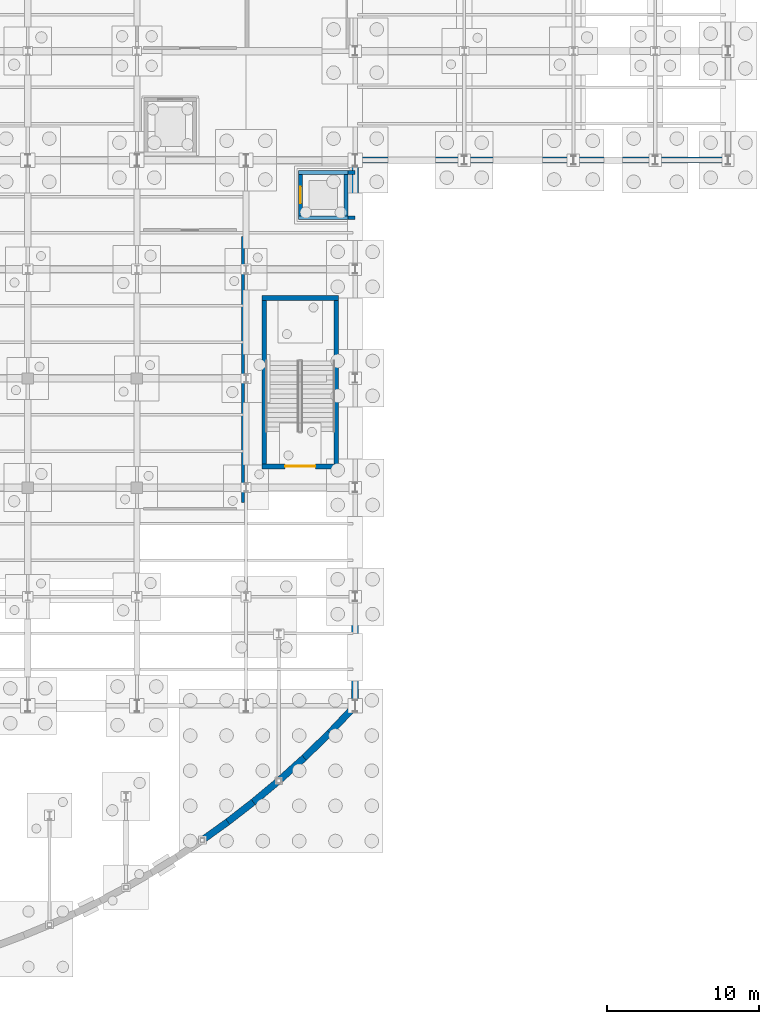
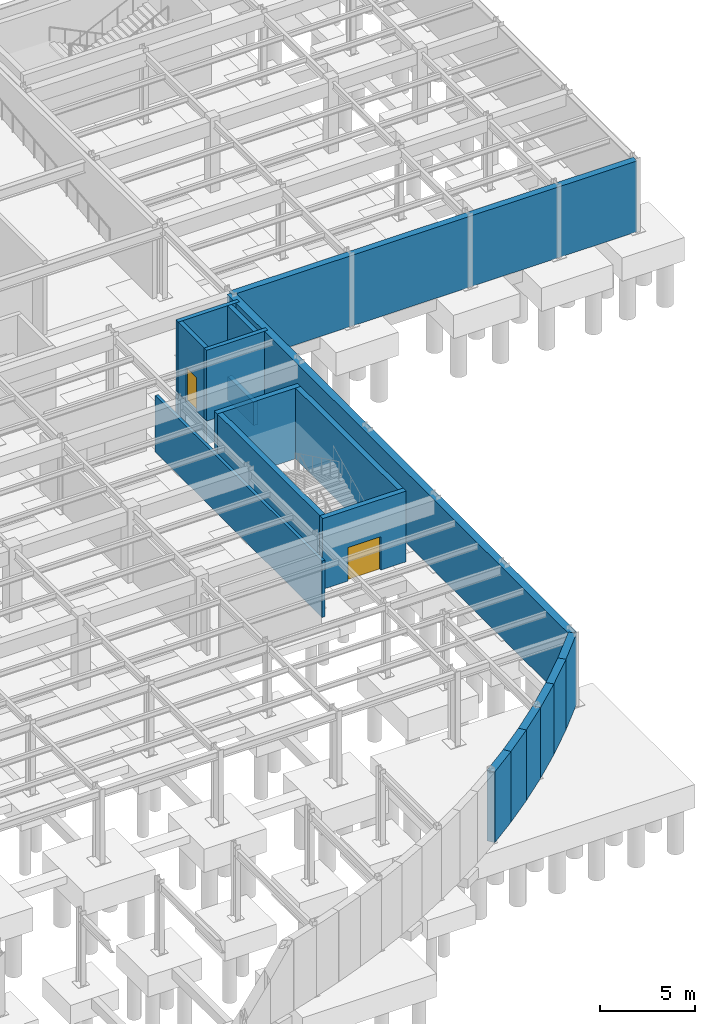
# One storey, part 50 of 64: 21 walls, 2 doors, 2 openings.
"""IFC4 building model written with IfcOpenShell, lengths in metres."""

from ifc_helpers import new_model, si_unit, direction, frame, frame_2d, origin, place, context, subcontext, project, spatial, rectangle, extrude, material, layer, layer_set, type_object, element, fill, save


model = new_model("IFC4")

# Units and contexts
model_context = context("Model", 3, precision=1e-05, world=origin(), true_north=direction((0.0, 1.0)))
body_context = subcontext(model_context, "Body", "Model", "MODEL_VIEW")
ifc_project = project(units=[si_unit("LENGTHUNIT", "METRE"), si_unit("AREAUNIT", "SQUARE_METRE"), si_unit("VOLUMEUNIT", "CUBIC_METRE"), si_unit("PLANEANGLEUNIT", "RADIAN"), si_unit("MASSUNIT", "GRAM", prefix="KILO")], contexts=[model_context])

# Site, building, storey
site_placement = place(None, origin())
site = spatial("IfcSite", under=ifc_project, at=site_placement, CompositionType="ELEMENT")
building_placement = place(site_placement, origin())
building = spatial("IfcBuilding", under=site, at=building_placement, Name="Solvadek Multi-Sports Hall", CompositionType="ELEMENT")
storey_placement = place(building_placement, frame((0.0, 0.0, -4.800048828125)))
storey = spatial("IfcBuildingStorey", under=building, at=storey_placement, Name="B1", CompositionType="ELEMENT", Elevation=-4.800048828125)

# Walls
ifc_material_1 = material(Name="Concrete M40", Category="concrete")
ifc_layer_1 = layer(ifc_material_1, 0.39990234375, Name="Concrete M40")
ifc_layer_set_1 = layer_set([ifc_layer_1], Name="Concrete M40")
wall_type_1 = type_object("IfcWallType", Name="ENV-WAL-RET400", PredefinedType="USERDEFINED", material=ifc_layer_set_1)
wall_1_placement = place(storey_placement, frame((136.800048828125, 42.0, 0.0), z_axis=(0.0, 0.0, 1.0), x_axis=(1.0, 0.0, 0.0)))
element("IfcWall", 1, at=wall_1_placement, inside=storey, type_object=wall_type_1, Name="B1 Basement Retaining Wall #63", ObjectType="RETAININGWALL", PredefinedType="USERDEFINED", context=body_context, shape_type="SweptSolid", body=[
    extrude(rectangle(XDim=24.599853515625, YDim=0.39990234375, at=frame_2d((12.2998046875, 0.0))), origin(), (0.0, 0.0, 1.0), 4.550048828125),
])
ifc_layer_2 = layer(ifc_material_1, 0.449951171875, Name="Concrete M40")
ifc_layer_set_2 = layer_set([ifc_layer_2], Name="Concrete M40")
wall_type_2 = type_object("IfcWallType", Name="ENV-WAL-RET450", PredefinedType="USERDEFINED", material=ifc_layer_set_2)
wall_2_placement = place(storey_placement, frame((126.719970703125, -2.857177734375, 0.0), z_axis=(0.0, 0.0, 1.0), x_axis=(0.812055568709, 0.583580117318, 0.0)))
element("IfcWall", 2, at=wall_2_placement, inside=storey, type_object=wall_type_2, Name="B1 Basement Retaining Wall #56", ObjectType="RETAININGWALL", PredefinedType="USERDEFINED", context=body_context, shape_type="SweptSolid", body=[
    extrude(rectangle(XDim=2.06884765625, YDim=0.449951171875, at=frame_2d((1.034423828125, 0.0))), origin(), (0.0, 0.0, 1.0), 4.550048828125),
])
wall_3_placement = place(storey_placement, frame((128.39990234375, -1.64990234375, 0.0), z_axis=(0.0, 0.0, 1.0), x_axis=(0.790501249198, 0.612460427307, 0.0)))
element("IfcWall", 3, at=wall_3_placement, inside=storey, type_object=wall_type_2, Name="B1 Basement Retaining Wall #57", ObjectType="RETAININGWALL", PredefinedType="USERDEFINED", context=body_context, shape_type="SweptSolid", body=[
    extrude(rectangle(XDim=2.12548828125, YDim=0.449951171875, at=frame_2d((1.062744140625, 0.0))), origin(), (0.0, 0.0, 1.0), 4.550048828125),
])
wall_4_placement = place(storey_placement, frame((130.080078125, -0.34814453125, 0.0), z_axis=(0.0, 0.0, 1.0), x_axis=(0.767242459486, 0.641357161309, 0.0)))
element("IfcWall", 4, at=wall_4_placement, inside=storey, type_object=wall_type_2, Name="B1 Basement Retaining Wall #58", ObjectType="RETAININGWALL", PredefinedType="USERDEFINED", context=body_context, shape_type="SweptSolid", body=[
    extrude(rectangle(XDim=2.189453125, YDim=0.449951171875, at=frame_2d((1.0947265625, 0.0))), origin(), (0.0, 0.0, 1.0), 4.550048828125),
])
wall_5_placement = place(storey_placement, frame((131.760009765625, 1.05615234375, 0.0), z_axis=(0.0, 0.0, 1.0), x_axis=(0.742107834306, 0.670280510131, 0.0)))
element("IfcWall", 5, at=wall_5_placement, inside=storey, type_object=wall_type_2, Name="B1 Basement Retaining Wall #59", ObjectType="RETAININGWALL", PredefinedType="USERDEFINED", context=body_context, shape_type="SweptSolid", body=[
    extrude(rectangle(XDim=2.263671875, YDim=0.449951171875, at=frame_2d((1.1318359375, 0.0))), origin(), (0.0, 0.0, 1.0), 4.550048828125),
])
wall_6_placement = place(storey_placement, frame((133.43994140625, 2.573486328125, 0.0), z_axis=(0.0, 0.0, 1.0), x_axis=(0.715062067837, 0.699060969545, 0.0)))
element("IfcWall", 6, at=wall_6_placement, inside=storey, type_object=wall_type_2, Name="B1 Basement Retaining Wall #60", ObjectType="RETAININGWALL", PredefinedType="USERDEFINED", context=body_context, shape_type="SweptSolid", body=[
    extrude(rectangle(XDim=2.349609375, YDim=0.449951171875, at=frame_2d((1.1748046875, 0.0))), origin(), (0.0, 0.0, 1.0), 4.550048828125),
])
wall_7_placement = place(storey_placement, frame((135.1201171875, 4.216064453125, 0.0), z_axis=(0.0, 0.0, 1.0), x_axis=(0.685566678472, 0.728009841533, 0.0)))
element("IfcWall", 7, at=wall_7_placement, inside=storey, type_object=wall_type_2, Name="B1 Basement Retaining Wall #61", ObjectType="RETAININGWALL", PredefinedType="USERDEFINED", context=body_context, shape_type="SweptSolid", body=[
    extrude(rectangle(XDim=2.450439453125, YDim=0.449951171875, at=frame_2d((1.22509765625, 0.0))), origin(), (0.0, 0.0, 1.0), 4.550048828125),
])
wall_8_placement = place(storey_placement, frame((136.800048828125, 6.0, 0.0), z_axis=(0.0, 0.0, 1.0), x_axis=(0.0, 1.0, 0.0)))
element("IfcWall", 8, at=wall_8_placement, inside=storey, type_object=wall_type_2, Name="B1 Basement Retaining Wall #62", ObjectType="RETAININGWALL", PredefinedType="USERDEFINED", context=body_context, shape_type="SweptSolid", body=[
    extrude(rectangle(XDim=36.0, YDim=0.449951171875, at=frame_2d((18.0, 0.0))), origin(), (0.0, 0.0, 1.0), 4.550048828125),
])
ifc_material_2 = material(Name="Autoclaved aerated concrete blockwork", Category="masonry")
ifc_layer_3 = layer(ifc_material_2, 0.179931640625, Name="Autoclaved aerated concrete blockwork")
ifc_layer_set_3 = layer_set([ifc_layer_3], Name="Autoclaved aerated concrete blockwork")
wall_type_3 = type_object("IfcWallType", Name="INT-WAL-PRT180", PredefinedType="PARTITIONING", material=ifc_layer_set_3)
wall_9_placement = place(storey_placement, frame((129.39990234375, 19.419921875, 0.0), z_axis=(0.0, 0.0, 1.0), x_axis=(0.0, 1.0, 0.0)))
element("IfcWall", 9, at=wall_9_placement, inside=storey, type_object=wall_type_3, Name="B1 Partition Wall B1-05 E", PredefinedType="PARTITIONING", context=body_context, shape_type="SweptSolid", body=[
    extrude(rectangle(XDim=17.56005859375, YDim=0.179931640625, at=frame_2d((8.780029296875, 0.0))), origin(), (0.0, 0.0, 1.0), 3.630126953125),
])
ifc_layer_4 = layer(ifc_material_1, 0.260009765625, Name="Concrete M40")
ifc_layer_set_4 = layer_set([ifc_layer_4], Name="Concrete M40")
wall_type_4 = type_object("IfcWallType", Name="INT-WAL-SHR260", PredefinedType="SHEAR", material=ifc_layer_set_4)
for number, where, z_axis, x_axis, name in (
    (10, (133.070068359375, 38.199951171875, -1.5), (0.0, 0.0, 1.0), (1.0, 0.0, 0.0), "Lift LP-03 Shaft Shear Wall pit south"),
    (11, (133.070068359375, 41.199951171875, -1.5), (0.0, 0.0, 1.0), (1.0, 0.0, 0.0), "Lift LP-03 Shaft Shear Wall pit north"),
):
    element("IfcWall", number, at=place(storey_placement, frame(where, z_axis=z_axis, x_axis=x_axis)), inside=storey, type_object=wall_type_4, Name=name, PredefinedType="SHEAR", context=body_context, shape_type="SweptSolid", body=[
        extrude(rectangle(XDim=3.260009765625, YDim=0.260009765625, at=frame_2d((1.6298828125, 0.0))), origin(), (0.0, 0.0, 1.0), 1.5),
    ])
for number, where, z_axis, x_axis, name in (
    (12, (133.199951171875, 38.330078125, -1.5), (0.0, 0.0, 1.0), (0.0, 1.0, 0.0), "Lift LP-03 Shaft Shear Wall pit west"),
    (13, (136.199951171875, 38.330078125, -1.5), (0.0, 0.0, 1.0), (0.0, 1.0, 0.0), "Lift LP-03 Shaft Shear Wall pit east"),
):
    element("IfcWall", number, at=place(storey_placement, frame(where, z_axis=z_axis, x_axis=x_axis)), inside=storey, type_object=wall_type_4, Name=name, PredefinedType="SHEAR", context=body_context, shape_type="SweptSolid", body=[
        extrude(rectangle(XDim=2.739990234375, YDim=0.260009765625, at=frame_2d((1.3701171875, 0.0))), origin(), (0.0, 0.0, 1.0), 1.5),
    ])
for number, where, z_axis, x_axis, name in (
    (14, (133.070068359375, 38.199951171875, 0.0), (0.0, 0.0, 1.0), (1.0, 0.0, 0.0), "Lift LP-03 Shaft Shear Wall B1 south"),
    (15, (133.070068359375, 41.199951171875, 0.0), (0.0, 0.0, 1.0), (1.0, 0.0, 0.0), "Lift LP-03 Shaft Shear Wall B1 north"),
):
    element("IfcWall", number, at=place(storey_placement, frame(where, z_axis=z_axis, x_axis=x_axis)), inside=storey, type_object=wall_type_4, Name=name, PredefinedType="SHEAR", context=body_context, shape_type="SweptSolid", body=[
        extrude(rectangle(XDim=3.72998046875, YDim=0.260009765625, at=frame_2d((1.864990234375, 0.0))), origin(), (0.0, 0.0, 1.0), 4.550048828125),
    ])

# Wall, opening, door
wall_10_placement = place(storey_placement, frame((133.199951171875, 38.330078125, 0.0), z_axis=(0.0, 0.0, 1.0), x_axis=(0.0, 1.0, 0.0)))
wall_10 = element("IfcWall", 16, at=wall_10_placement, inside=storey, type_object=wall_type_4, Name="Lift LP-03 Shaft Shear Wall B1 west", PredefinedType="SHEAR", context=body_context, shape_type="SweptSolid", body=[
    extrude(rectangle(XDim=2.739990234375, YDim=0.260009765625, at=frame_2d((1.3701171875, 0.0))), origin(), (0.0, 0.0, 1.0), 4.550048828125),
])
opening_1_placement = place(wall_10_placement, frame((0.820068359375, 0.0, 0.0)))
opening_1 = element("IfcOpeningElement", 17, at=opening_1_placement, cuts=wall_10, Name="Opening LD-20", PredefinedType="OPENING", context=body_context, shape_type="SweptSolid", body=[
    extrude(rectangle(XDim=1.10009765625, YDim=2.14990234375, at=frame_2d((0.550048828125, 1.074951171875))), frame((0.0, 0.139892578125, 0.0), z_axis=(0.0, -1.0, 0.0), x_axis=(1.0, 0.0, 0.0)), (0.0, 0.0, 1.0), 0.280029296875),
])
ifc_material_3 = material(Name="Anodised aluminium", Category="aluminium")
door_type_1 = type_object("IfcDoorType", Name="INT-DOR-LD110X215", OperationType="DOUBLE_DOOR_SLIDING", PredefinedType="DOOR", material=ifc_material_3)
door_1_placement = place(opening_1_placement, origin())
door_1 = element("IfcDoor", 18, at=door_1_placement, inside=storey, type_object=door_type_1, Name="B1 Lift LP-03 Sliding Landing Door LD-20", OperationType="DOUBLE_DOOR_SLIDING", OverallHeight=2.14990234375, OverallWidth=1.10009765625, PredefinedType="DOOR", context=body_context, shape_type="SweptSolid", body=[
    extrude(rectangle(XDim=1.10009765625, YDim=2.14990234375, at=frame_2d((0.550048828125, 1.074951171875))), frame((0.0, 0.02490234375, 0.0), z_axis=(0.0, -1.0, 0.0), x_axis=(1.0, 0.0, 0.0)), (0.0, 0.0, 1.0), 0.050048828125),
])
fill(opening_1, door_1)

# Wall
wall_11_placement = place(storey_placement, frame((136.199951171875, 38.330078125, 0.0), z_axis=(0.0, 0.0, 1.0), x_axis=(0.0, 1.0, 0.0)))
element("IfcWall", 19, at=wall_11_placement, inside=storey, type_object=wall_type_4, Name="Lift LP-03 Shaft Shear Wall B1 east", PredefinedType="SHEAR", context=body_context, shape_type="SweptSolid", body=[
    extrude(rectangle(XDim=2.739990234375, YDim=0.260009765625, at=frame_2d((1.3701171875, 0.0))), origin(), (0.0, 0.0, 1.0), 4.550048828125),
])

# Wall, opening, door
ifc_layer_5 = layer(ifc_material_1, 0.320068359375, Name="Concrete M40")
ifc_layer_set_5 = layer_set([ifc_layer_5], Name="Concrete M40")
wall_type_5 = type_object("IfcWallType", Name="INT-WAL-SHR320", PredefinedType="SHEAR", material=ifc_layer_set_5)
wall_12_placement = place(storey_placement, frame((130.639892578125, 21.800048828125, 0.0), z_axis=(0.0, 0.0, 1.0), x_axis=(1.0, 0.0, 0.0)))
wall_12 = element("IfcWall", 20, at=wall_12_placement, inside=storey, type_object=wall_type_5, Name="B1 Stair ST-05 Shear Wall S", PredefinedType="SHEAR", context=body_context, shape_type="SweptSolid", body=[
    extrude(rectangle(XDim=5.070068359375, YDim=0.320068359375, at=frame_2d((2.53515625, 0.0))), origin(), (0.0, 0.0, 1.0), 4.550048828125),
])
opening_2_placement = place(wall_12_placement, frame((1.534912109375, 0.0, 0.0)))
opening_2 = element("IfcOpeningElement", 21, at=opening_2_placement, cuts=wall_12, Name="Opening FD120", PredefinedType="OPENING", context=body_context, shape_type="SweptSolid", body=[
    extrude(rectangle(XDim=2.0, YDim=2.14990234375, at=frame_2d((1.0, 1.074951171875))), frame((0.0, 0.169921875, 0.0), z_axis=(0.0, -1.0, 0.0), x_axis=(1.0, 0.0, 0.0)), (0.0, 0.0, 1.0), 0.340087890625),
])
ifc_material_4 = material(Name="Steel E250 (250 MPa)", Category="steel")
door_type_2 = type_object("IfcDoorType", Name="INT-DOR-FD200X215", OperationType="DOUBLE_DOOR_SINGLE_SWING", PredefinedType="DOOR", material=ifc_material_4)
door_2_placement = place(opening_2_placement, origin())
door_2 = element("IfcDoor", 22, at=door_2_placement, inside=storey, type_object=door_type_2, Name="B1 Stair ST-05 Fire Door", OperationType="DOUBLE_DOOR_SINGLE_SWING", OverallHeight=2.14990234375, OverallWidth=2.0, PredefinedType="DOOR", context=body_context, shape_type="SweptSolid", body=[
    extrude(rectangle(XDim=2.0, YDim=2.14990234375, at=frame_2d((1.0, 1.074951171875))), frame((0.0, 0.02490234375, 0.0), z_axis=(0.0, -1.0, 0.0), x_axis=(1.0, 0.0, 0.0)), (0.0, 0.0, 1.0), 0.050048828125),
])
fill(opening_2, door_2)

# Walls
wall_13_placement = place(storey_placement, frame((130.639892578125, 32.89990234375, 0.0), z_axis=(0.0, 0.0, 1.0), x_axis=(1.0, 0.0, 0.0)))
element("IfcWall", 23, at=wall_13_placement, inside=storey, type_object=wall_type_5, Name="B1 Stair ST-05 Shear Wall N", PredefinedType="SHEAR", context=body_context, shape_type="SweptSolid", body=[
    extrude(rectangle(XDim=5.070068359375, YDim=0.320068359375, at=frame_2d((2.53515625, 0.0))), origin(), (0.0, 0.0, 1.0), 4.550048828125),
])
for number, where, z_axis, x_axis, name in (
    (24, (130.800048828125, 21.9599609375, 0.0), (0.0, 0.0, 1.0), (0.0, 1.0, 0.0), "B1 Stair ST-05 Shear Wall W"),
    (25, (135.550048828125, 21.9599609375, 0.0), (0.0, 0.0, 1.0), (0.0, 1.0, 0.0), "B1 Stair ST-05 Shear Wall E"),
):
    element("IfcWall", number, at=place(storey_placement, frame(where, z_axis=z_axis, x_axis=x_axis)), inside=storey, type_object=wall_type_5, Name=name, PredefinedType="SHEAR", context=body_context, shape_type="SweptSolid", body=[
        extrude(rectangle(XDim=10.780029296875, YDim=0.320068359375, at=frame_2d((5.39013671875, 0.0))), origin(), (0.0, 0.0, 1.0), 4.550048828125),
    ])

save(model, "model.ifc")
